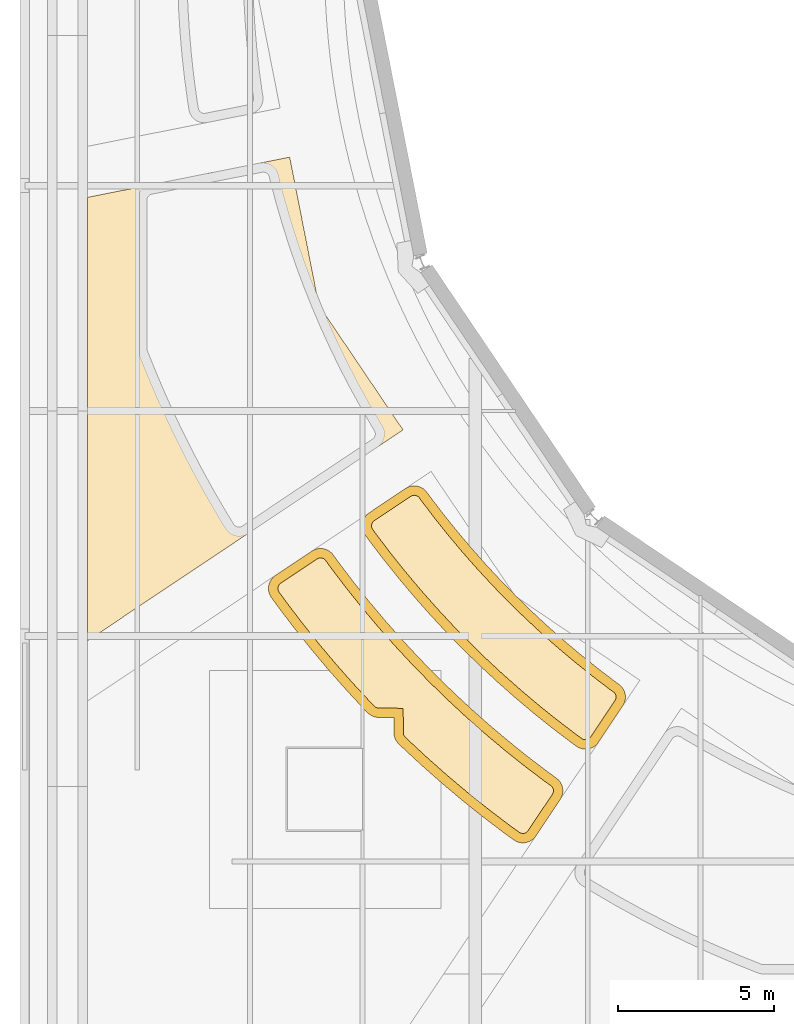
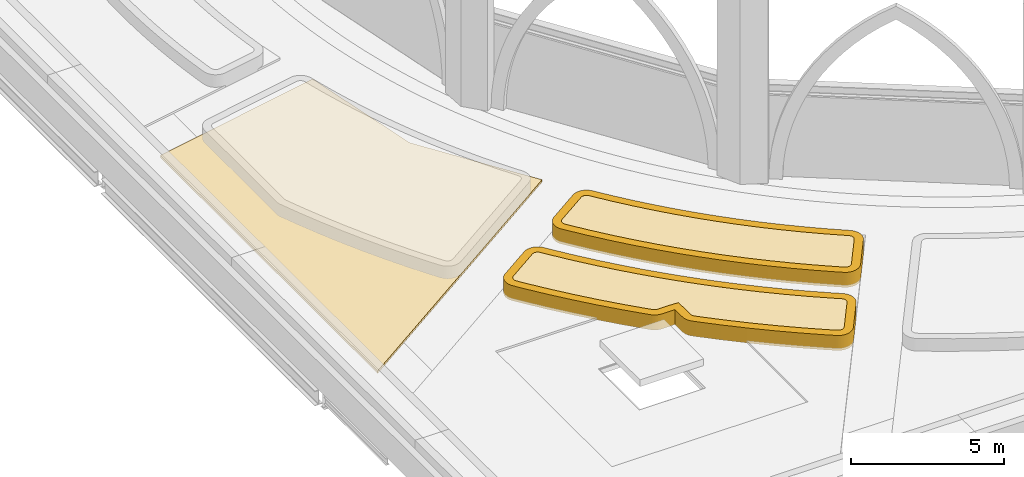
# One storey, part 85 of 110: 5 coverings.
"""IFC4 building model written with IfcOpenShell, lengths in metres."""

from ifc_helpers import new_model, si_unit, direction, frame, origin, place, context, subcontext, project, spatial, polyline, outline, extrude, material, layer, layer_set, type_object, element, save


model = new_model("IFC4")

# Units and contexts
model_context = context("Model", 3, precision=1e-05, world=origin(), true_north=direction((0.0, 1.0)))
body_context = subcontext(model_context, "Body", "Model", "MODEL_VIEW")
ifc_project = project(units=[si_unit("LENGTHUNIT", "METRE"), si_unit("AREAUNIT", "SQUARE_METRE"), si_unit("VOLUMEUNIT", "CUBIC_METRE"), si_unit("PLANEANGLEUNIT", "RADIAN"), si_unit("MASSUNIT", "GRAM", prefix="KILO")], contexts=[model_context])

# Site, building, storey
site_placement = place(None, origin())
site = spatial("IfcSite", under=ifc_project, at=site_placement, CompositionType="ELEMENT")
building_placement = place(site_placement, origin())
building = spatial("IfcBuilding", under=site, at=building_placement, Name="Kupolbacken Congress Centre", CompositionType="ELEMENT")
storey_placement = place(building_placement, frame((0.0, 0.0, 18.0)))
storey = spatial("IfcBuildingStorey", under=building, at=storey_placement, Name="L05", CompositionType="ELEMENT", Elevation=18.0)

# Coverings
ifc_material_1 = material(Name="Limestone cladding", Category="masonry")
ifc_layer_1 = layer(ifc_material_1, 0.60009765625)
ifc_layer_set_1 = layer_set([ifc_layer_1], Name="Limestone cladding")
covering_type_1 = type_object("IfcCoveringType", Name="CV5 limestone arcade pier 600", PredefinedType="CLADDING", material=ifc_layer_set_1)
covering_1_placement = place(storey_placement, origin())
element("IfcCovering", 1, at=covering_1_placement, inside=storey, type_object=covering_type_1, Name="Bed kerb, plenary wing roof", PredefinedType="CLADDING", context=body_context, shape_type="SweptSolid", body=[
    extrude(outline(polyline([(20.1337890625, 69.289306640625), (20.556884765625, 68.733154296875), (20.560791015625, 68.728271484375), (20.997314453125, 68.1826171875), (21.001220703125, 68.177978515625), (21.451171875, 67.643310546875), (21.455078125, 67.638671875), (21.91796875, 67.115234375), (21.922119140625, 67.110595703125), (22.397705078125, 66.598876953125), (22.40185546875, 66.59423828125), (22.889892578125, 66.09423828125), (22.894287109375, 66.08984375), (23.394287109375, 65.601806640625), (23.398681640625, 65.59765625), (23.91064453125, 65.1220703125), (23.915283203125, 65.117919921875), (24.438720703125, 64.655029296875), (24.443359375, 64.651123046875), (24.97802734375, 64.201416015625), (24.982666015625, 64.197509765625), (25.5283203125, 63.7607421875), (25.533203125, 63.757080078125), (26.089111328125, 63.333984375), (26.093994140625, 63.330078125), (26.195556640625, 63.2568359375), (26.233154296875, 63.22705078125), (26.267578125, 63.193603515625), (26.298583984375, 63.156982421875), (26.325927734375, 63.117919921875), (26.349609375, 63.076171875), (26.368896484375, 63.0322265625), (26.384033203125, 62.98681640625), (26.394775390625, 62.940185546875), (26.401123046875, 62.892578125), (26.402587890625, 62.8447265625), (26.399658203125, 62.796875), (26.39208984375, 62.74951171875), (26.380126953125, 62.703125), (26.36376953125, 62.658203125), (26.34326171875, 62.614990234375), (26.318603515625, 62.573974609375), (25.540283203125, 61.4091796875), (25.51025390625, 61.368896484375), (25.4765625, 61.331787109375), (25.439208984375, 61.298095703125), (25.3984375, 61.268798828125), (25.355224609375, 61.243408203125), (25.3095703125, 61.222412109375), (25.261962890625, 61.206298828125), (25.213134765625, 61.19482421875), (25.1630859375, 61.1884765625), (25.113037109375, 61.18701171875), (25.06298828125, 61.190673828125), (25.013427734375, 61.199462890625), (24.965087890625, 61.212890625), (24.91845703125, 61.2314453125), (24.873779296875, 61.25439453125), (24.83154296875, 61.28173828125), (24.6669921875, 61.400634765625), (24.656982421875, 61.408203125), (24.05908203125, 61.863037109375), (24.04931640625, 61.87060546875), (23.462646484375, 62.340087890625), (23.453125, 62.347900390625), (22.878173828125, 62.831787109375), (22.868896484375, 62.83984375), (22.305908203125, 63.337646484375), (22.296630859375, 63.345947265625), (21.74609375, 63.857421875), (21.7373046875, 63.865966796875), (21.199462890625, 64.390625), (21.190673828125, 64.3994140625), (20.666015625, 64.937255859375), (20.657470703125, 64.946044921875), (20.14599609375, 65.49658203125), (20.1376953125, 65.505859375), (19.639892578125, 66.06884765625), (19.6318359375, 66.078125), (19.14794921875, 66.653076171875), (19.14013671875, 66.66259765625), (18.670654296875, 67.249267578125), (18.6630859375, 67.259033203125), (18.2080078125, 67.857177734375), (18.20068359375, 67.866943359375), (18.081787109375, 68.031494140625), (18.054443359375, 68.07373046875), (18.031494140625, 68.118408203125), (18.012939453125, 68.165283203125), (17.99951171875, 68.21337890625), (17.99072265625, 68.262939453125), (17.987060546875, 68.31298828125), (17.98828125, 68.36328125), (17.994873046875, 68.4130859375), (18.006103515625, 68.4619140625), (18.0224609375, 68.509521484375), (18.043212890625, 68.55517578125), (18.068603515625, 68.598388671875), (18.09814453125, 68.63916015625), (18.1318359375, 68.676513671875), (18.168701171875, 68.710205078125), (18.208984375, 68.740234375), (19.373779296875, 69.5185546875), (19.414794921875, 69.543212890625), (19.458251953125, 69.563720703125), (19.503173828125, 69.580078125), (19.549560546875, 69.59228515625), (19.596923828125, 69.599609375), (19.644775390625, 69.602783203125), (19.692626953125, 69.60107421875), (19.739990234375, 69.5947265625), (19.786865234375, 69.583984375), (19.832275390625, 69.569091796875), (19.876220703125, 69.549560546875), (19.917724609375, 69.52587890625), (19.95703125, 69.49853515625), (19.99365234375, 69.467529296875), (20.027099609375, 69.43310546875), (20.056884765625, 69.3955078125), (20.130126953125, 69.294189453125), (20.1337890625, 69.289306640625)]), holes=[polyline([(19.81787109375, 69.214111328125), (19.801513671875, 69.234619140625), (19.7880859375, 69.248291015625), (19.773681640625, 69.2607421875), (19.7578125, 69.271728515625), (19.7412109375, 69.28125), (19.723876953125, 69.288818359375), (19.70556640625, 69.294921875), (19.68701171875, 69.29931640625), (19.66796875, 69.3017578125), (19.64892578125, 69.302490234375), (19.6298828125, 69.30126953125), (19.61083984375, 69.298095703125), (19.59228515625, 69.29345703125), (19.574462890625, 69.286865234375), (19.55712890625, 69.278564453125), (19.534423828125, 69.264892578125), (18.382080078125, 68.4951171875), (18.35986328125, 68.478515625), (18.34521484375, 68.465087890625), (18.331787109375, 68.4501953125), (18.31982421875, 68.433837890625), (18.309814453125, 68.41650390625), (18.301513671875, 68.3984375), (18.294921875, 68.37939453125), (18.29052734375, 68.35986328125), (18.287841796875, 68.340087890625), (18.287353515625, 68.320068359375), (18.288818359375, 68.300048828125), (18.292236328125, 68.2802734375), (18.297607421875, 68.260986328125), (18.30517578125, 68.2421875), (18.314208984375, 68.224365234375), (18.3291015625, 68.201416015625), (18.44287109375, 68.044189453125), (18.447998046875, 68.037353515625), (18.900634765625, 67.442138671875), (18.906005859375, 67.435302734375), (19.373291015625, 66.8515625), (19.37890625, 66.844970703125), (19.860107421875, 66.272705078125), (19.86572265625, 66.26611328125), (20.361083984375, 65.705810546875), (20.366943359375, 65.69970703125), (20.8759765625, 65.151611328125), (20.8818359375, 65.1455078125), (21.404052734375, 64.610107421875), (21.41015625, 64.60400390625), (21.9453125, 64.081787109375), (21.95166015625, 64.075927734375), (22.49951171875, 63.56689453125), (22.505859375, 63.561279296875), (23.066162109375, 63.06591796875), (23.072509765625, 63.060302734375), (23.64501953125, 62.578857421875), (23.651611328125, 62.5732421875), (24.2353515625, 62.10595703125), (24.2421875, 62.1005859375), (24.83740234375, 61.64794921875), (24.84423828125, 61.642822265625), (25.001220703125, 61.529296875), (25.0244140625, 61.51416015625), (25.042236328125, 61.505126953125), (25.060791015625, 61.497802734375), (25.080078125, 61.4921875), (25.10009765625, 61.48876953125), (25.1201171875, 61.4873046875), (25.139892578125, 61.48779296875), (25.159912109375, 61.490478515625), (25.179443359375, 61.4951171875), (25.198486328125, 61.50146484375), (25.216552734375, 61.509765625), (25.23388671875, 61.52001953125), (25.25, 61.53173828125), (25.264892578125, 61.545166015625), (25.278564453125, 61.559814453125), (25.294921875, 61.58203125), (26.06494140625, 62.734619140625), (26.07861328125, 62.757080078125), (26.0869140625, 62.7744140625), (26.093505859375, 62.79248046875), (26.09814453125, 62.810791015625), (26.101318359375, 62.829833984375), (26.102294921875, 62.848876953125), (26.101806640625, 62.867919921875), (26.09912109375, 62.886962890625), (26.094970703125, 62.905517578125), (26.0888671875, 62.923828125), (26.081298828125, 62.94140625), (26.07177734375, 62.9580078125), (26.060791015625, 62.9736328125), (26.04833984375, 62.98828125), (26.03466796875, 63.00146484375), (26.01416015625, 63.017822265625), (25.9169921875, 63.088134765625), (25.908935546875, 63.093994140625), (25.35009765625, 63.519287109375), (25.34228515625, 63.525390625), (24.7939453125, 63.96435546875), (24.786376953125, 63.970458984375), (24.248779296875, 64.4228515625), (24.241455078125, 64.42919921875), (23.715087890625, 64.89453125), (23.7080078125, 64.901123046875), (23.193359375, 65.379150390625), (23.18603515625, 65.385986328125), (22.683349609375, 65.87646484375), (22.676513671875, 65.88330078125), (22.185791015625, 66.385986328125), (22.17919921875, 66.393310546875), (21.701171875, 66.907958984375), (21.694580078125, 66.915283203125), (21.229248046875, 67.44140625), (21.222900390625, 67.44873046875), (20.7705078125, 67.986328125), (20.764404296875, 67.993896484375), (20.325439453125, 68.542236328125), (20.3193359375, 68.550048828125), (19.89404296875, 69.10888671875), (19.88818359375, 69.116943359375), (19.81787109375, 69.214111328125)])]), origin(), (0.0, 0.0, 1.0), 0.60009765625),
])
covering_2_placement = place(storey_placement, origin())
element("IfcCovering", 2, at=covering_2_placement, inside=storey, type_object=covering_type_1, Name="Bed kerb, plenary wing roof", PredefinedType="CLADDING", context=body_context, shape_type="SweptSolid", body=[
    extrude(outline(polyline([(15.05908203125, 66.072509765625), (15.0361328125, 66.1171875), (15.017822265625, 66.1640625), (15.00439453125, 66.21240234375), (14.99560546875, 66.26171875), (14.991943359375, 66.311767578125), (14.993408203125, 66.362060546875), (14.999755859375, 66.411865234375), (15.010986328125, 66.460693359375), (15.027099609375, 66.50830078125), (15.048095703125, 66.553955078125), (15.073486328125, 66.597412109375), (15.10302734375, 66.637939453125), (15.13671875, 66.67529296875), (15.173583984375, 66.708984375), (15.214111328125, 66.739013671875), (16.378662109375, 67.517333984375), (16.419921875, 67.5419921875), (16.462890625, 67.5625), (16.508056640625, 67.5791015625), (16.554443359375, 67.591064453125), (16.601806640625, 67.598388671875), (16.649658203125, 67.6015625), (16.697509765625, 67.599853515625), (16.7451171875, 67.59375), (16.791748046875, 67.5830078125), (16.837158203125, 67.56787109375), (16.881103515625, 67.54833984375), (16.922607421875, 67.52490234375), (16.9619140625, 67.497314453125), (16.99853515625, 67.46630859375), (17.03173828125, 67.431884765625), (17.061767578125, 67.394287109375), (17.23876953125, 67.149658203125), (17.242431640625, 67.144775390625), (17.718994140625, 66.518310546875), (17.72265625, 66.513427734375), (18.214599609375, 65.89892578125), (18.218505859375, 65.894287109375), (18.72509765625, 65.2919921875), (18.729248046875, 65.287353515625), (19.25048828125, 64.697509765625), (19.254638671875, 64.693115234375), (19.790283203125, 64.116455078125), (19.794677734375, 64.112060546875), (20.34423828125, 63.548583984375), (20.3486328125, 63.544189453125), (20.912109375, 62.99462890625), (20.91650390625, 62.990478515625), (21.4931640625, 62.45458984375), (21.49755859375, 62.45068359375), (22.08740234375, 61.92919921875), (22.091796875, 61.92529296875), (22.694091796875, 61.41845703125), (22.698974609375, 61.41455078125), (23.3134765625, 60.922607421875), (23.318359375, 60.9189453125), (23.944580078125, 60.4423828125), (23.94970703125, 60.438720703125), (24.1943359375, 60.26171875), (24.23193359375, 60.231689453125), (24.266357421875, 60.198486328125), (24.29736328125, 60.162109375), (24.32470703125, 60.122802734375), (24.348388671875, 60.0810546875), (24.367919921875, 60.037109375), (24.3828125, 59.99169921875), (24.393798828125, 59.945068359375), (24.39990234375, 59.8974609375), (24.401611328125, 59.849609375), (24.3984375, 59.8017578125), (24.39111328125, 59.75439453125), (24.37890625, 59.7080078125), (24.362548828125, 59.6630859375), (24.342041015625, 59.619873046875), (24.3173828125, 59.57861328125), (23.5390625, 58.4140625), (23.509033203125, 58.373779296875), (23.475341796875, 58.336669921875), (23.43798828125, 58.302978515625), (23.397216796875, 58.2734375), (23.35400390625, 58.248046875), (23.308349609375, 58.227294921875), (23.2607421875, 58.2109375), (23.2119140625, 58.19970703125), (23.162109375, 58.193359375), (23.11181640625, 58.19189453125), (23.061767578125, 58.195556640625), (23.01220703125, 58.204345703125), (22.964111328125, 58.218017578125), (22.917236328125, 58.236083984375), (22.87255859375, 58.25927734375), (22.83056640625, 58.28662109375), (22.5224609375, 58.50927734375), (22.5126953125, 58.5166015625), (21.84423828125, 59.025146484375), (21.83447265625, 59.03271484375), (21.1787109375, 59.557373046875), (21.169189453125, 59.565185546875), (20.526611328125, 60.10595703125), (20.517333984375, 60.114013671875), (19.88818359375, 60.67041015625), (19.879150390625, 60.678466796875), (19.263916015625, 61.25), (19.2548828125, 61.258544921875), (19.1513671875, 61.359619140625), (19.117431640625, 61.396240234375), (19.08740234375, 61.435791015625), (19.061279296875, 61.478515625), (19.039794921875, 61.523193359375), (19.022705078125, 61.5703125), (19.010498046875, 61.618408203125), (19.0029296875, 61.667724609375), (19.00048828125, 61.717529296875), (19.00048828125, 62.188232421875), (19.0, 62.199951171875), (18.98828125, 62.200439453125), (18.517578125, 62.200439453125), (18.4677734375, 62.202880859375), (18.41845703125, 62.21044921875), (18.3701171875, 62.22265625), (18.3232421875, 62.23974609375), (18.2783203125, 62.261474609375), (18.23583984375, 62.287353515625), (18.1962890625, 62.3173828125), (18.15966796875, 62.351318359375), (18.05859375, 62.454833984375), (18.050048828125, 62.4638671875), (17.478515625, 63.0791015625), (17.47021484375, 63.088134765625), (16.913818359375, 63.71728515625), (16.906005859375, 63.726806640625), (16.365234375, 64.369384765625), (16.357421875, 64.37890625), (15.83251953125, 65.034423828125), (15.8251953125, 65.044189453125), (15.31640625, 65.712646484375), (15.30908203125, 65.722412109375), (15.086669921875, 66.030517578125), (15.05908203125, 66.072509765625)]), holes=[polyline([(15.55126953125, 65.899658203125), (15.556396484375, 65.892578125), (16.062744140625, 65.227294921875), (16.068115234375, 65.220458984375), (16.590576171875, 64.567626953125), (16.595947265625, 64.56103515625), (17.13427734375, 63.921142578125), (17.139892578125, 63.914794921875), (17.69384765625, 63.288330078125), (17.69970703125, 63.281982421875), (18.268798828125, 62.669189453125), (18.274658203125, 62.6630859375), (18.369140625, 62.566162109375), (18.38916015625, 62.547607421875), (18.405029296875, 62.535400390625), (18.422119140625, 62.525146484375), (18.43994140625, 62.5166015625), (18.458740234375, 62.509765625), (18.47802734375, 62.5048828125), (18.49755859375, 62.501953125), (18.52490234375, 62.50048828125), (18.99560546875, 62.50048828125), (19.2861328125, 62.486083984375), (19.300537109375, 62.195556640625), (19.300537109375, 61.72509765625), (19.302001953125, 61.697509765625), (19.3046875, 61.677978515625), (19.309814453125, 61.65869140625), (19.31640625, 61.639892578125), (19.3251953125, 61.6220703125), (19.33544921875, 61.60498046875), (19.34765625, 61.589111328125), (19.3662109375, 61.569091796875), (19.463134765625, 61.474609375), (19.46923828125, 61.46875), (20.081787109375, 60.899658203125), (20.08837890625, 60.893798828125), (20.714599609375, 60.33984375), (20.72119140625, 60.334228515625), (21.361083984375, 59.7958984375), (21.36767578125, 59.79052734375), (22.0205078125, 59.26806640625), (22.02734375, 59.2626953125), (22.692626953125, 58.75634765625), (22.69970703125, 58.751220703125), (23.0, 58.5341796875), (23.023193359375, 58.51904296875), (23.041015625, 58.510009765625), (23.059814453125, 58.502685546875), (23.0791015625, 58.4970703125), (23.098876953125, 58.49365234375), (23.118896484375, 58.4921875), (23.138916015625, 58.492919921875), (23.15869140625, 58.495361328125), (23.17822265625, 58.499755859375), (23.197265625, 58.50634765625), (23.21533203125, 58.5146484375), (23.232666015625, 58.52490234375), (23.248779296875, 58.53662109375), (23.263916015625, 58.550048828125), (23.27734375, 58.564697265625), (23.293701171875, 58.5869140625), (24.06396484375, 59.739501953125), (24.077392578125, 59.761962890625), (24.085693359375, 59.779296875), (24.09228515625, 59.797119140625), (24.096923828125, 59.815673828125), (24.10009765625, 59.834716796875), (24.101318359375, 59.853759765625), (24.1005859375, 59.872802734375), (24.09814453125, 59.891845703125), (24.09375, 59.910400390625), (24.087646484375, 59.9287109375), (24.080078125, 59.946044921875), (24.070556640625, 59.962890625), (24.0595703125, 59.978515625), (24.047119140625, 59.9931640625), (24.033447265625, 60.00634765625), (24.012939453125, 60.022705078125), (23.7724609375, 60.196533203125), (23.764404296875, 60.202392578125), (23.13525390625, 60.681396484375), (23.12744140625, 60.687255859375), (22.510009765625, 61.181396484375), (22.50244140625, 61.187744140625), (21.8974609375, 61.69677734375), (21.889892578125, 61.703125), (21.297607421875, 62.22705078125), (21.290283203125, 62.233642578125), (20.7109375, 62.771728515625), (20.703857421875, 62.778564453125), (20.1376953125, 63.330810546875), (20.130859375, 63.337890625), (19.57861328125, 63.90380859375), (19.57177734375, 63.910888671875), (19.03369140625, 64.490234375), (19.027099609375, 64.49755859375), (18.503173828125, 65.08984375), (18.496826171875, 65.097412109375), (17.98779296875, 65.702392578125), (17.9814453125, 65.7099609375), (17.4873046875, 66.327392578125), (17.481201171875, 66.335205078125), (17.00244140625, 66.964599609375), (16.99658203125, 66.972412109375), (16.82275390625, 67.212890625), (16.806396484375, 67.2333984375), (16.793212890625, 67.247314453125), (16.778564453125, 67.259521484375), (16.7626953125, 67.2705078125), (16.74609375, 67.280029296875), (16.728515625, 67.28759765625), (16.71044921875, 67.293701171875), (16.69189453125, 67.298095703125), (16.6728515625, 67.300537109375), (16.65380859375, 67.30126953125), (16.634521484375, 67.300048828125), (16.61572265625, 67.297119140625), (16.59716796875, 67.292236328125), (16.5791015625, 67.28564453125), (16.56201171875, 67.27734375), (16.539306640625, 67.263916015625), (15.386962890625, 66.493896484375), (15.36474609375, 66.477294921875), (15.35009765625, 66.4638671875), (15.336669921875, 66.448974609375), (15.32470703125, 66.4326171875), (15.314697265625, 66.415283203125), (15.306396484375, 66.397216796875), (15.2998046875, 66.378173828125), (15.29541015625, 66.358642578125), (15.292724609375, 66.3388671875), (15.292236328125, 66.31884765625), (15.293701171875, 66.298828125), (15.297119140625, 66.279052734375), (15.302490234375, 66.259765625), (15.309814453125, 66.2412109375), (15.319091796875, 66.22314453125), (15.333984375, 66.2001953125), (15.55126953125, 65.899658203125)])]), origin(), (0.0, 0.0, 1.0), 0.60009765625),
])
ifc_material_2 = material(Name="Grass", Category="soil")
ifc_layer_2 = layer(ifc_material_2, 0.10009765625)
ifc_layer_set_2 = layer_set([ifc_layer_2], Name="Grass")
covering_type_2 = type_object("IfcCoveringType", Name="GR2 grass surface 100", PredefinedType="FLOORING", material=ifc_layer_set_2)
covering_3_placement = place(storey_placement, origin())
element("IfcCovering", 3, at=covering_3_placement, inside=storey, type_object=covering_type_2, Name="Green roof, plenary wing roof", PredefinedType="FLOORING", context=body_context, shape_type="SweptSolid", body=[
    extrude(outline(polyline([(9.200439453125, 64.6455078125), (9.200439453125, 78.822265625), (15.6708984375, 80.109130859375), (16.602294921875, 75.37890625), (19.29443359375, 71.3896484375), (9.200439453125, 64.6455078125)])), origin(), (0.0, 0.0, 1.0), 0.10009765625),
])
ifc_material_3 = material(Name="Planting substrate", Category="soil")
ifc_layer_3 = layer(ifc_material_3, 0.60009765625)
ifc_layer_set_3 = layer_set([ifc_layer_3], Name="Planting substrate")
covering_type_3 = type_object("IfcCoveringType", Name="GR8 planting substrate 600", PredefinedType="FLOORING", material=ifc_layer_set_3)
covering_4_placement = place(storey_placement, origin())
element("IfcCovering", 4, at=covering_4_placement, inside=storey, type_object=covering_type_3, Name="Planting bed, plenary wing roof", PredefinedType="FLOORING", context=body_context, shape_type="SweptSolid", body=[
    extrude(outline(polyline([(19.88818359375, 69.116943359375), (19.89404296875, 69.10888671875), (20.3193359375, 68.550048828125), (20.325439453125, 68.542236328125), (20.764404296875, 67.993896484375), (20.7705078125, 67.986328125), (21.222900390625, 67.44873046875), (21.229248046875, 67.44140625), (21.694580078125, 66.915283203125), (21.701171875, 66.907958984375), (22.17919921875, 66.393310546875), (22.185791015625, 66.385986328125), (22.676513671875, 65.88330078125), (22.683349609375, 65.87646484375), (23.18603515625, 65.385986328125), (23.193359375, 65.379150390625), (23.7080078125, 64.901123046875), (23.715087890625, 64.89453125), (24.241455078125, 64.42919921875), (24.248779296875, 64.4228515625), (24.786376953125, 63.970458984375), (24.7939453125, 63.96435546875), (25.34228515625, 63.525390625), (25.35009765625, 63.519287109375), (25.908935546875, 63.093994140625), (25.9169921875, 63.088134765625), (26.01416015625, 63.017822265625), (26.03466796875, 63.00146484375), (26.04833984375, 62.98828125), (26.060791015625, 62.9736328125), (26.07177734375, 62.9580078125), (26.081298828125, 62.94140625), (26.0888671875, 62.923828125), (26.094970703125, 62.905517578125), (26.09912109375, 62.886962890625), (26.101806640625, 62.867919921875), (26.102294921875, 62.848876953125), (26.101318359375, 62.829833984375), (26.09814453125, 62.810791015625), (26.093505859375, 62.79248046875), (26.0869140625, 62.7744140625), (26.07861328125, 62.757080078125), (26.06494140625, 62.734619140625), (25.294921875, 61.58203125), (25.278564453125, 61.559814453125), (25.264892578125, 61.545166015625), (25.25, 61.53173828125), (25.23388671875, 61.52001953125), (25.216552734375, 61.509765625), (25.198486328125, 61.50146484375), (25.179443359375, 61.4951171875), (25.159912109375, 61.490478515625), (25.139892578125, 61.48779296875), (25.1201171875, 61.4873046875), (25.10009765625, 61.48876953125), (25.080078125, 61.4921875), (25.060791015625, 61.497802734375), (25.042236328125, 61.505126953125), (25.0244140625, 61.51416015625), (25.001220703125, 61.529296875), (24.84423828125, 61.642822265625), (24.83740234375, 61.64794921875), (24.2421875, 62.1005859375), (24.2353515625, 62.10595703125), (23.651611328125, 62.5732421875), (23.64501953125, 62.578857421875), (23.072509765625, 63.060302734375), (23.066162109375, 63.06591796875), (22.505859375, 63.561279296875), (22.49951171875, 63.56689453125), (21.95166015625, 64.075927734375), (21.9453125, 64.081787109375), (21.41015625, 64.60400390625), (21.404052734375, 64.610107421875), (20.8818359375, 65.1455078125), (20.8759765625, 65.151611328125), (20.366943359375, 65.69970703125), (20.361083984375, 65.705810546875), (19.86572265625, 66.26611328125), (19.860107421875, 66.272705078125), (19.37890625, 66.844970703125), (19.373291015625, 66.8515625), (18.906005859375, 67.435302734375), (18.900634765625, 67.442138671875), (18.447998046875, 68.037353515625), (18.44287109375, 68.044189453125), (18.3291015625, 68.201416015625), (18.314208984375, 68.224365234375), (18.30517578125, 68.2421875), (18.297607421875, 68.260986328125), (18.292236328125, 68.2802734375), (18.288818359375, 68.300048828125), (18.287353515625, 68.320068359375), (18.287841796875, 68.340087890625), (18.29052734375, 68.35986328125), (18.294921875, 68.37939453125), (18.301513671875, 68.3984375), (18.309814453125, 68.41650390625), (18.31982421875, 68.433837890625), (18.331787109375, 68.4501953125), (18.34521484375, 68.465087890625), (18.35986328125, 68.478515625), (18.382080078125, 68.4951171875), (19.534423828125, 69.264892578125), (19.55712890625, 69.278564453125), (19.574462890625, 69.286865234375), (19.59228515625, 69.29345703125), (19.61083984375, 69.298095703125), (19.6298828125, 69.30126953125), (19.64892578125, 69.302490234375), (19.66796875, 69.3017578125), (19.68701171875, 69.29931640625), (19.70556640625, 69.294921875), (19.723876953125, 69.288818359375), (19.7412109375, 69.28125), (19.7578125, 69.271728515625), (19.773681640625, 69.2607421875), (19.7880859375, 69.248291015625), (19.801513671875, 69.234619140625), (19.81787109375, 69.214111328125), (19.88818359375, 69.116943359375)])), origin(), (0.0, 0.0, 1.0), 0.60009765625),
])
covering_5_placement = place(storey_placement, origin())
element("IfcCovering", 5, at=covering_5_placement, inside=storey, type_object=covering_type_3, Name="Planting bed, plenary wing roof", PredefinedType="FLOORING", context=body_context, shape_type="SweptSolid", body=[
    extrude(outline(polyline([(15.333984375, 66.2001953125), (15.319091796875, 66.22314453125), (15.309814453125, 66.2412109375), (15.302490234375, 66.259765625), (15.297119140625, 66.279052734375), (15.293701171875, 66.298828125), (15.292236328125, 66.31884765625), (15.292724609375, 66.3388671875), (15.29541015625, 66.358642578125), (15.2998046875, 66.378173828125), (15.306396484375, 66.397216796875), (15.314697265625, 66.415283203125), (15.32470703125, 66.4326171875), (15.336669921875, 66.448974609375), (15.35009765625, 66.4638671875), (15.36474609375, 66.477294921875), (15.386962890625, 66.493896484375), (16.539306640625, 67.263916015625), (16.56201171875, 67.27734375), (16.5791015625, 67.28564453125), (16.59716796875, 67.292236328125), (16.61572265625, 67.297119140625), (16.634521484375, 67.300048828125), (16.65380859375, 67.30126953125), (16.6728515625, 67.300537109375), (16.69189453125, 67.298095703125), (16.71044921875, 67.293701171875), (16.728515625, 67.28759765625), (16.74609375, 67.280029296875), (16.7626953125, 67.2705078125), (16.778564453125, 67.259521484375), (16.793212890625, 67.247314453125), (16.806396484375, 67.2333984375), (16.82275390625, 67.212890625), (16.99658203125, 66.972412109375), (17.00244140625, 66.964599609375), (17.481201171875, 66.335205078125), (17.4873046875, 66.327392578125), (17.9814453125, 65.7099609375), (17.98779296875, 65.702392578125), (18.496826171875, 65.097412109375), (18.503173828125, 65.08984375), (19.027099609375, 64.49755859375), (19.03369140625, 64.490234375), (19.57177734375, 63.910888671875), (19.57861328125, 63.90380859375), (20.130859375, 63.337890625), (20.1376953125, 63.330810546875), (20.703857421875, 62.778564453125), (20.7109375, 62.771728515625), (21.290283203125, 62.233642578125), (21.297607421875, 62.22705078125), (21.889892578125, 61.703125), (21.8974609375, 61.69677734375), (22.50244140625, 61.187744140625), (22.510009765625, 61.181396484375), (23.12744140625, 60.687255859375), (23.13525390625, 60.681396484375), (23.764404296875, 60.202392578125), (23.7724609375, 60.196533203125), (24.012939453125, 60.022705078125), (24.033447265625, 60.00634765625), (24.047119140625, 59.9931640625), (24.0595703125, 59.978515625), (24.070556640625, 59.962890625), (24.080078125, 59.946044921875), (24.087646484375, 59.9287109375), (24.09375, 59.910400390625), (24.09814453125, 59.891845703125), (24.1005859375, 59.872802734375), (24.101318359375, 59.853759765625), (24.10009765625, 59.834716796875), (24.096923828125, 59.815673828125), (24.09228515625, 59.797119140625), (24.085693359375, 59.779296875), (24.077392578125, 59.761962890625), (24.06396484375, 59.739501953125), (23.293701171875, 58.5869140625), (23.27734375, 58.564697265625), (23.263916015625, 58.550048828125), (23.248779296875, 58.53662109375), (23.232666015625, 58.52490234375), (23.21533203125, 58.5146484375), (23.197265625, 58.50634765625), (23.17822265625, 58.499755859375), (23.15869140625, 58.495361328125), (23.138916015625, 58.492919921875), (23.118896484375, 58.4921875), (23.098876953125, 58.49365234375), (23.0791015625, 58.4970703125), (23.059814453125, 58.502685546875), (23.041015625, 58.510009765625), (23.023193359375, 58.51904296875), (23.0, 58.5341796875), (22.69970703125, 58.751220703125), (22.692626953125, 58.75634765625), (22.02734375, 59.2626953125), (22.0205078125, 59.26806640625), (21.36767578125, 59.79052734375), (21.361083984375, 59.7958984375), (20.72119140625, 60.334228515625), (20.714599609375, 60.33984375), (20.08837890625, 60.893798828125), (20.081787109375, 60.899658203125), (19.46923828125, 61.46875), (19.463134765625, 61.474609375), (19.3662109375, 61.569091796875), (19.34765625, 61.589111328125), (19.33544921875, 61.60498046875), (19.3251953125, 61.6220703125), (19.31640625, 61.639892578125), (19.309814453125, 61.65869140625), (19.3046875, 61.677978515625), (19.302001953125, 61.697509765625), (19.300537109375, 61.72509765625), (19.300537109375, 62.195556640625), (19.2861328125, 62.486083984375), (18.99560546875, 62.50048828125), (18.52490234375, 62.50048828125), (18.49755859375, 62.501953125), (18.47802734375, 62.5048828125), (18.458740234375, 62.509765625), (18.43994140625, 62.5166015625), (18.422119140625, 62.525146484375), (18.405029296875, 62.535400390625), (18.38916015625, 62.547607421875), (18.369140625, 62.566162109375), (18.274658203125, 62.6630859375), (18.268798828125, 62.669189453125), (17.69970703125, 63.281982421875), (17.69384765625, 63.288330078125), (17.139892578125, 63.914794921875), (17.13427734375, 63.921142578125), (16.595947265625, 64.56103515625), (16.590576171875, 64.567626953125), (16.068115234375, 65.220458984375), (16.062744140625, 65.227294921875), (15.556396484375, 65.892578125), (15.55126953125, 65.899658203125), (15.333984375, 66.2001953125)])), origin(), (0.0, 0.0, 1.0), 0.60009765625),
])

save(model, "model.ifc")
